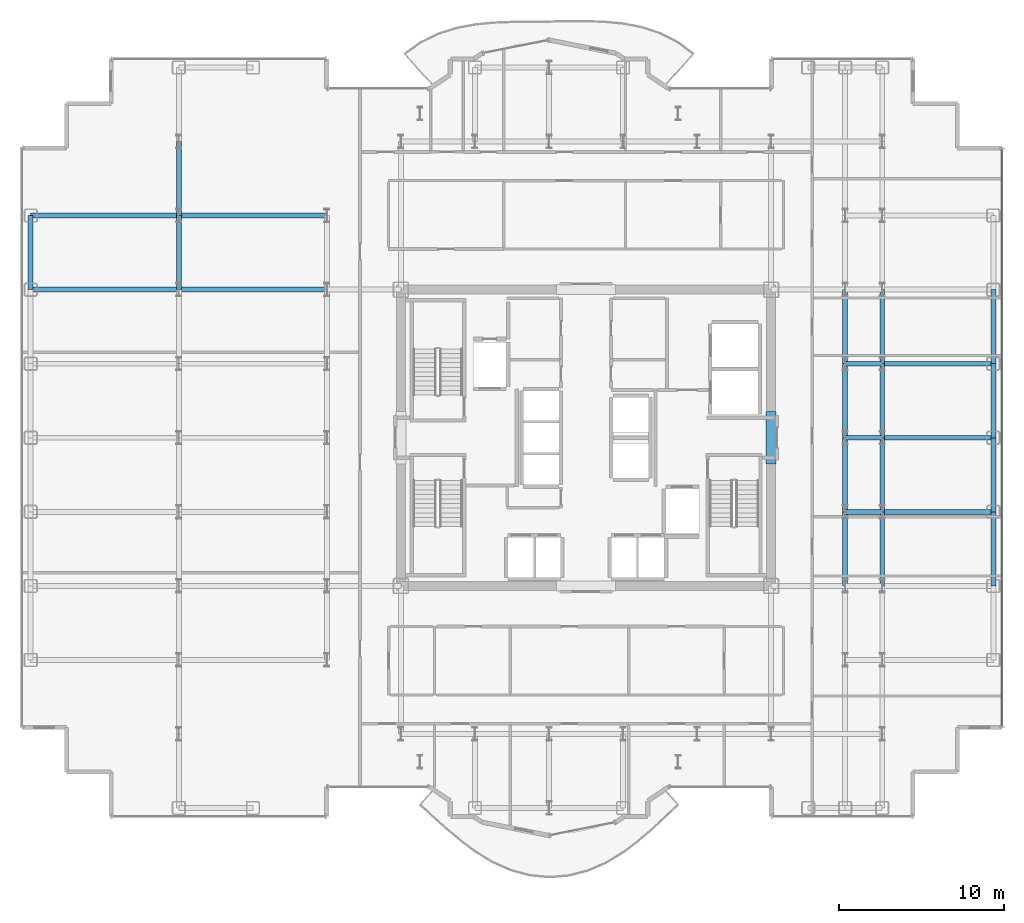
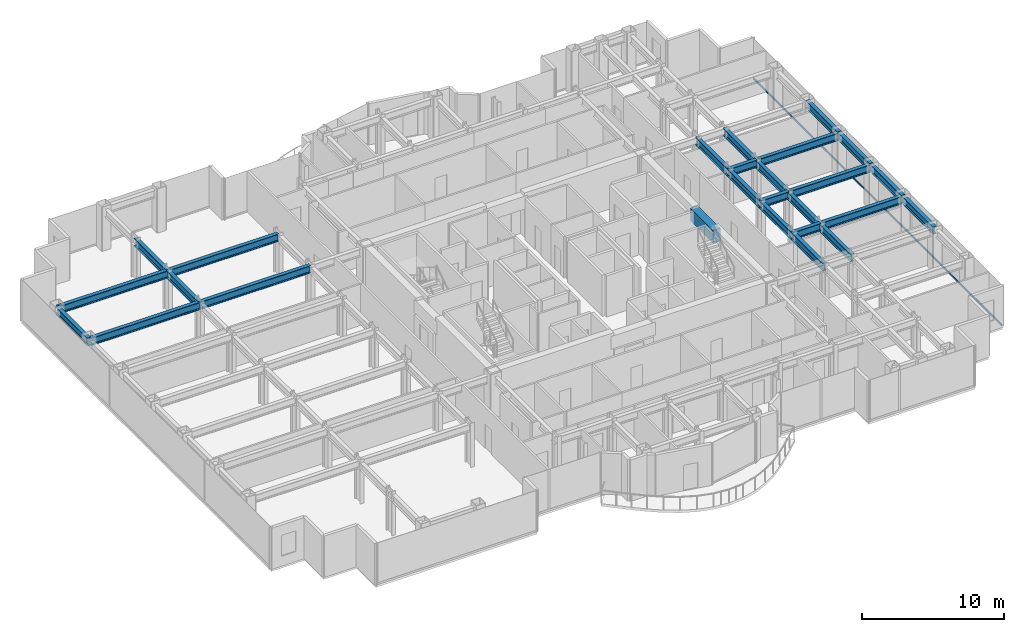
# One storey, part 9 of 23: 26 beams, 1 member, 1 element without a shape of its own.
"""IFC4 building model written with IfcOpenShell, lengths in metres."""

from ifc_helpers import new_model, si_unit, direction, frame, origin, origin_2d, place, context, subcontext, project, spatial, rectangle, hollow_rectangle, i_section, extrude, source, transform, mapped, material, layer, layer_set, material_profile, profile_set, type_object, element, aggregate, save


model = new_model("IFC4")

# Units and contexts
model_context = context("Model", 3, precision=1e-05, world=origin(), true_north=direction((0.0, 1.0)))
body_context = subcontext(model_context, "Body", "Model", "MODEL_VIEW")
ifc_project = project(units=[si_unit("LENGTHUNIT", "METRE"), si_unit("AREAUNIT", "SQUARE_METRE"), si_unit("VOLUMEUNIT", "CUBIC_METRE"), si_unit("PLANEANGLEUNIT", "RADIAN"), si_unit("MASSUNIT", "GRAM", prefix="KILO")], contexts=[model_context])

# Site, building, storey
site_placement = place(None, origin())
site = spatial("IfcSite", under=ifc_project, at=site_placement, CompositionType="ELEMENT")
building_placement = place(site_placement, origin())
building = spatial("IfcBuilding", under=site, at=building_placement, Name="Nefas-Gora Pilgrimage Tower", CompositionType="ELEMENT")
storey_placement = place(building_placement, frame((0.0, 0.0, 156.39990234375)))
storey = spatial("IfcBuildingStorey", under=building, at=storey_placement, Name="L38", CompositionType="ELEMENT", Elevation=156.39990234375)

# Beams
ifc_material_1 = material(Name="Concrete C60/75", Category="concrete")
ifc_material_profile_1 = material_profile(ifc_material_1, rectangle(XDim=0.60009765625, YDim=1.10009765625, at=origin_2d()), Name="RC 600x1100")
ifc_profile_set_1 = profile_set([ifc_material_profile_1], Name="Concrete C60/75")
beam_type_1 = type_object("IfcBeamType", Name="BM-LIN-RC1100", PredefinedType="LINTEL", material=ifc_profile_set_1)
shared_shape_1 = source(origin(), body_context, "Body", "SweptSolid", [
    extrude(rectangle(XDim=0.60009765625, YDim=1.10009765625, at=origin_2d()), origin(), (0.0, 0.0, 1.0), 3.2001953125),
])
beam_placement = place(storey_placement, frame((11.25, -1.60009765625, 3.0), z_axis=(0.0, 1.0, 0.0), x_axis=(-1.0, 0.0, 0.0)))
element("IfcBeam", 1, at=beam_placement, inside=storey, type_object=beam_type_1, Name="L38 Core Coupling Lintel Beam E", PredefinedType="LINTEL", context=body_context, shape_type="MappedRepresentation", body=[
    mapped(shared_shape_1, transform((0.0, 0.0, 0.0), x_axis=(1.0, 0.0, 0.0), y_axis=(0.0, 1.0, 0.0), z_axis=(0.0, 0.0, 1.0), scale=1.0)),
])
ifc_material_2 = material(Name="Steel S355", Category="steel")
ifc_material_profile_2 = material_profile(ifc_material_2, i_section(OverallWidth=0.300048828125, OverallDepth=0.64990234375, WebThickness=0.01611328125, FlangeThickness=0.031005859375, FilletRadius=0.027099609375, at=origin_2d()), Name="HEB 650")
ifc_profile_set_2 = profile_set([ifc_material_profile_2], Name="Steel S355")
beam_type_2 = type_object("IfcBeamType", Name="BM-SPN-HEB500", PredefinedType="SPANDREL", material=ifc_profile_set_2)
shared_shape_2 = source(origin(), body_context, "Body", "SweptSolid", [
    extrude(i_section(OverallWidth=0.300048828125, OverallDepth=0.64990234375, WebThickness=0.01611328125, FlangeThickness=0.031005859375, FilletRadius=0.027099609375, at=origin_2d()), origin(), (0.0, 0.0, 1.0), 4.5),
])
for number, where, z_axis, x_axis, name in (
    (2, (-33.75, 9.0, 3.22509765625), (0.0, 1.0, 0.0), (-1.0, 0.0, 0.0), "L38 SP-02 beam"),
    (3, (24.75, -9.0, 3.22509765625), (0.0, 1.0, 0.0), (-1.0, 0.0, 0.0), "L38 SP-02 beam"),
    (4, (24.75, -4.5, 3.22509765625), (0.0, 1.0, 0.0), (-1.0, 0.0, 0.0), "L38 SP-02 beam"),
    (5, (24.75, 0.0, 3.22509765625), (0.0, 1.0, 0.0), (-1.0, 0.0, 0.0), "L38 SP-02 beam"),
    (6, (24.75, 4.5, 3.22509765625), (0.0, 1.0, 0.0), (-1.0, 0.0, 0.0), "L38 SP-02 beam"),
):
    element("IfcBeam", number, at=place(storey_placement, frame(where, z_axis=z_axis, x_axis=x_axis)), inside=storey, type_object=beam_type_2, Name=name, PredefinedType="SPANDREL", context=body_context, shape_type="MappedRepresentation", body=[
        mapped(shared_shape_2, transform((0.0, 0.0, 0.0), x_axis=(1.0, 0.0, 0.0), y_axis=(0.0, 1.0, 0.0), z_axis=(0.0, 0.0, 1.0), scale=1.0)),
    ])
ifc_material_profile_3 = material_profile(ifc_material_2, i_section(OverallWidth=0.300048828125, OverallDepth=0.64990234375, WebThickness=0.01611328125, FlangeThickness=0.031005859375, FilletRadius=0.027099609375, at=origin_2d()), Name="HEB 650")
ifc_profile_set_3 = profile_set([ifc_material_profile_3], Name="Steel S355")
beam_type_3 = type_object("IfcBeamType", Name="BM-GIR-HEB650", PredefinedType="BEAM", material=ifc_profile_set_3)
shared_shape_3 = source(origin(), body_context, "Body", "SweptSolid", [
    extrude(i_section(OverallWidth=0.300048828125, OverallDepth=0.64990234375, WebThickness=0.01611328125, FlangeThickness=0.031005859375, FilletRadius=0.027099609375, at=origin_2d()), origin(), (0.0, 0.0, 1.0), 9.0),
])
for number, where, z_axis, x_axis, name in (
    (7, (-33.75, 9.0, 3.22509765625), (1.0, 0.0, 0.0), (0.0, 1.0, 0.0), "L38 G-03 beam"),
    (8, (-33.75, 13.5, 3.22509765625), (1.0, 0.0, 0.0), (0.0, 1.0, 0.0), "L38 G-03 beam"),
    (9, (-24.75, 9.0, 3.22509765625), (1.0, 0.0, 0.0), (0.0, 1.0, 0.0), "L38 G-03 beam"),
    (10, (-24.75, 13.5, 3.22509765625), (1.0, 0.0, 0.0), (0.0, 1.0, 0.0), "L38 G-03 beam"),
):
    element("IfcBeam", number, at=place(storey_placement, frame(where, z_axis=z_axis, x_axis=x_axis)), inside=storey, type_object=beam_type_3, Name=name, PredefinedType="BEAM", context=body_context, shape_type="MappedRepresentation", body=[
        mapped(shared_shape_3, transform((0.0, 0.0, 0.0), x_axis=(1.0, 0.0, 0.0), y_axis=(0.0, 1.0, 0.0), z_axis=(0.0, 0.0, 1.0), scale=1.0)),
    ])
shared_shape_4 = source(origin(), body_context, "Body", "SweptSolid", [
    extrude(i_section(OverallWidth=0.300048828125, OverallDepth=0.64990234375, WebThickness=0.01611328125, FlangeThickness=0.031005859375, FilletRadius=0.027099609375, at=origin_2d()), origin(), (0.0, 0.0, 1.0), 4.5),
])
for number, where, z_axis, x_axis, name in (
    (11, (-24.75, 9.0, 3.22509765625), (0.0, 1.0, 0.0), (-1.0, 0.0, 0.0), "L38 G-03 beam"),
    (12, (-24.75, 13.5, 3.22509765625), (0.0, 1.0, 0.0), (-1.0, 0.0, 0.0), "L38 G-03 beam"),
    (13, (15.75, -9.0, 3.22509765625), (0.0, 1.0, 0.0), (-1.0, 0.0, 0.0), "L38 G-03 beam"),
    (14, (15.75, -4.5, 3.22509765625), (0.0, 1.0, 0.0), (-1.0, 0.0, 0.0), "L38 G-03 beam"),
    (15, (15.75, 0.0, 3.22509765625), (0.0, 1.0, 0.0), (-1.0, 0.0, 0.0), "L38 G-03 beam"),
    (16, (15.75, 4.5, 3.22509765625), (0.0, 1.0, 0.0), (-1.0, 0.0, 0.0), "L38 G-03 beam"),
    (17, (18.0, -9.0, 3.22509765625), (0.0, 1.0, 0.0), (-1.0, 0.0, 0.0), "L38 G-03 beam"),
    (18, (18.0, -4.5, 3.22509765625), (0.0, 1.0, 0.0), (-1.0, 0.0, 0.0), "L38 G-03 beam"),
    (19, (18.0, 0.0, 3.22509765625), (0.0, 1.0, 0.0), (-1.0, 0.0, 0.0), "L38 G-03 beam"),
    (20, (18.0, 4.5, 3.22509765625), (0.0, 1.0, 0.0), (-1.0, 0.0, 0.0), "L38 G-03 beam"),
):
    element("IfcBeam", number, at=place(storey_placement, frame(where, z_axis=z_axis, x_axis=x_axis)), inside=storey, type_object=beam_type_3, Name=name, PredefinedType="BEAM", context=body_context, shape_type="MappedRepresentation", body=[
        mapped(shared_shape_4, transform((0.0, 0.0, 0.0), x_axis=(1.0, 0.0, 0.0), y_axis=(0.0, 1.0, 0.0), z_axis=(0.0, 0.0, 1.0), scale=1.0)),
    ])
shared_shape_5 = source(origin(), body_context, "Body", "SweptSolid", [
    extrude(i_section(OverallWidth=0.300048828125, OverallDepth=0.64990234375, WebThickness=0.01611328125, FlangeThickness=0.031005859375, FilletRadius=0.027099609375, at=origin_2d()), origin(), (0.0, 0.0, 1.0), 6.75),
])
for number, where, z_axis, x_axis, name in (
    (21, (18.0, -4.5, 3.22509765625), (1.0, 0.0, 0.0), (0.0, 1.0, 0.0), "L38 G-03 beam"),
    (22, (18.0, 0.0, 3.22509765625), (1.0, 0.0, 0.0), (0.0, 1.0, 0.0), "L38 G-03 beam"),
    (23, (18.0, 4.5, 3.22509765625), (1.0, 0.0, 0.0), (0.0, 1.0, 0.0), "L38 G-03 beam"),
):
    element("IfcBeam", number, at=place(storey_placement, frame(where, z_axis=z_axis, x_axis=x_axis)), inside=storey, type_object=beam_type_3, Name=name, PredefinedType="BEAM", context=body_context, shape_type="MappedRepresentation", body=[
        mapped(shared_shape_5, transform((0.0, 0.0, 0.0), x_axis=(1.0, 0.0, 0.0), y_axis=(0.0, 1.0, 0.0), z_axis=(0.0, 0.0, 1.0), scale=1.0)),
    ])
shared_shape_6 = source(origin(), body_context, "Body", "SweptSolid", [
    extrude(i_section(OverallWidth=0.300048828125, OverallDepth=0.64990234375, WebThickness=0.01611328125, FlangeThickness=0.031005859375, FilletRadius=0.027099609375, at=origin_2d()), origin(), (0.0, 0.0, 1.0), 2.25),
])
for number, where, z_axis, x_axis, name in (
    (24, (15.75, -4.5, 3.22509765625), (1.0, 0.0, 0.0), (0.0, 1.0, 0.0), "L38 G-03 beam"),
    (25, (15.75, 0.0, 3.22509765625), (1.0, 0.0, 0.0), (0.0, 1.0, 0.0), "L38 G-03 beam"),
    (26, (15.75, 4.5, 3.22509765625), (1.0, 0.0, 0.0), (0.0, 1.0, 0.0), "L38 G-03 beam"),
):
    element("IfcBeam", number, at=place(storey_placement, frame(where, z_axis=z_axis, x_axis=x_axis)), inside=storey, type_object=beam_type_3, Name=name, PredefinedType="BEAM", context=body_context, shape_type="MappedRepresentation", body=[
        mapped(shared_shape_6, transform((0.0, 0.0, 0.0), x_axis=(1.0, 0.0, 0.0), y_axis=(0.0, 1.0, 0.0), z_axis=(0.0, 0.0, 1.0), scale=1.0)),
    ])

# Curtain wall, member
ifc_material_3 = material(Name="Dark ceramic-fritted solar-control aluminium-glass curtain wall", Category="aluminium")
ifc_layer = layer(ifc_material_3, 0.219970703125)
ifc_layer_set = layer_set([ifc_layer], Name="Dark ceramic-fritted solar-control aluminium-glass curtain wall")
curtain_wall_type = type_object("IfcCurtainWallType", Name="CW-SYS-3", PredefinedType="NOTDEFINED", material=ifc_layer_set)
curtain_wall_placement = place(storey_placement, origin())
curtain_wall = element("IfcCurtainWall", 27, at=curtain_wall_placement, inside=storey, type_object=curtain_wall_type, Name="L38 Unitised Curtain Wall CW3", PredefinedType="NOTDEFINED")
ifc_material_4 = material(Name="Anodised architectural aluminium", Category="aluminium")
ifc_material_profile_4 = material_profile(ifc_material_4, hollow_rectangle(XDim=0.080078125, YDim=0.159912109375, WallThickness=0.00439453125, InnerFilletRadius=0.00439453125, OuterFilletRadius=0.009033203125, at=origin_2d()), Name="ALU TRANSOM 80x160")
ifc_profile_set_4 = profile_set([ifc_material_profile_4], Name="Anodised architectural aluminium")
member_type = type_object("IfcMemberType", Name="CWM-TRN-3", PredefinedType="USERDEFINED", material=ifc_profile_set_4)
shared_shape_7 = source(origin(), body_context, "Body", "SweptSolid", [
    extrude(hollow_rectangle(XDim=0.080078125, YDim=0.159912109375, WallThickness=0.00439453125, InnerFilletRadius=0.00439453125, OuterFilletRadius=0.009033203125, at=origin_2d()), origin(), (0.0, 0.0, 1.0), 35.06005859375),
])
member_placement = place(storey_placement, frame((25.27001953125, -17.530029296875, 0.050048828125), z_axis=(0.0, 1.0, 0.0), x_axis=(-1.0, 0.0, 0.0)))
member = element("IfcMember", 28, at=member_placement, type_object=member_type, Name="CW3 Spandrel Transom", ObjectType="TRANSOM", PredefinedType="USERDEFINED", context=body_context, shape_type="MappedRepresentation", body=[
    mapped(shared_shape_7, transform((0.0, 0.0, 0.0), x_axis=(1.0, 0.0, 0.0), y_axis=(0.0, 1.0, 0.0), z_axis=(0.0, 0.0, 1.0), scale=1.0)),
])
aggregate(curtain_wall, [member])

save(model, "model.ifc")
